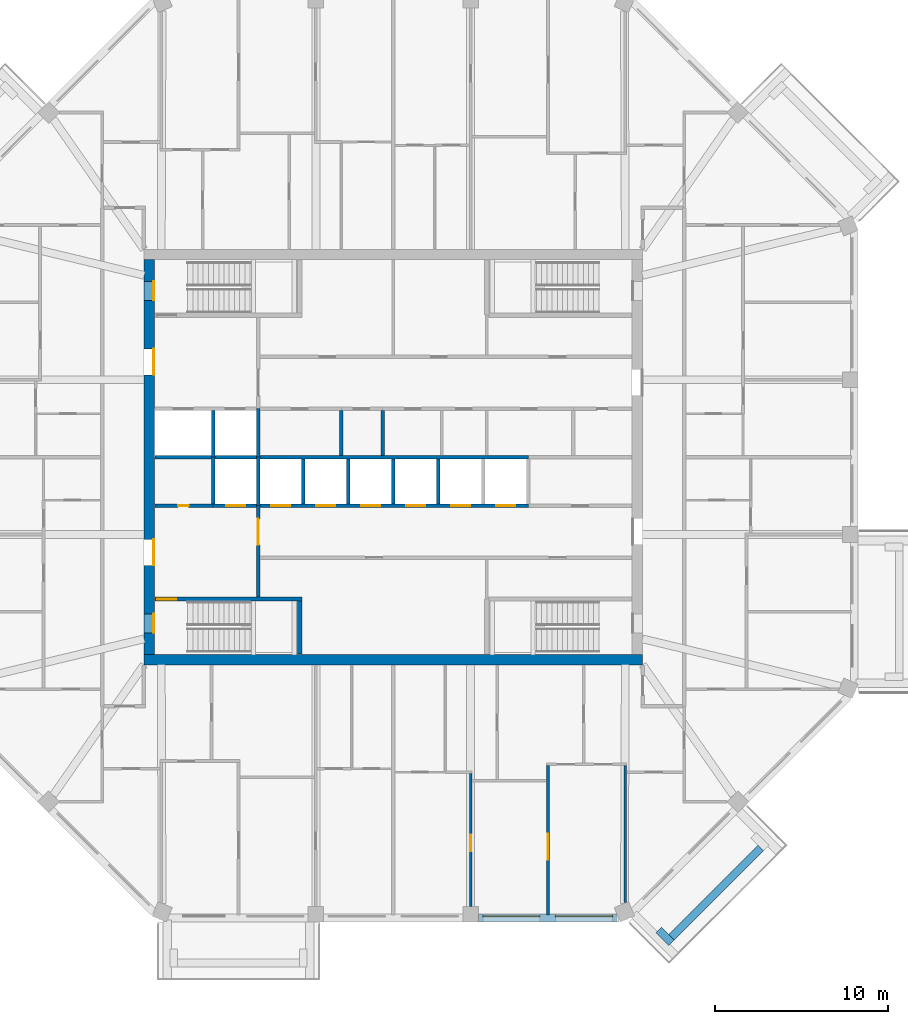
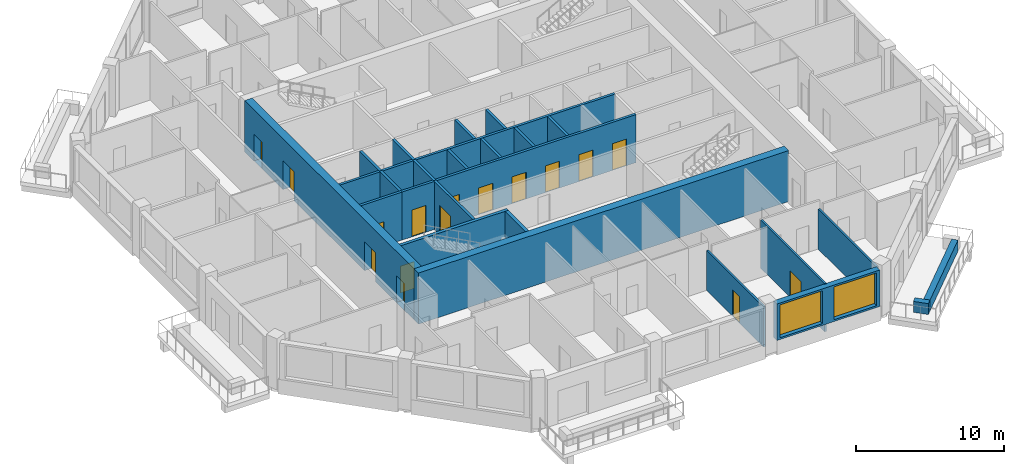
# One storey, part 4 of 11: 24 walls, 16 doors, 2 windows, 18 openings.
"""IFC4 building model written with IfcOpenShell, lengths in metres."""

from ifc_helpers import new_model, si_unit, direction, frame, frame_2d, origin, place, context, subcontext, project, spatial, rectangle, extrude, material, layer, layer_set, type_object, element, fill, save


model = new_model("IFC4")

# Units and contexts
model_context = context("Model", 3, precision=1e-05, world=origin(), true_north=direction((0.0, 1.0)))
body_context = subcontext(model_context, "Body", "Model", "MODEL_VIEW")
ifc_project = project(units=[si_unit("LENGTHUNIT", "METRE"), si_unit("AREAUNIT", "SQUARE_METRE"), si_unit("VOLUMEUNIT", "CUBIC_METRE"), si_unit("PLANEANGLEUNIT", "RADIAN"), si_unit("MASSUNIT", "GRAM", prefix="KILO")], contexts=[model_context])

# Site, building, storey
site_placement = place(None, origin())
site = spatial("IfcSite", under=ifc_project, at=site_placement, CompositionType="ELEMENT")
building_placement = place(site_placement, origin())
building = spatial("IfcBuilding", under=site, at=building_placement, Name="Msitu Wima Residences", CompositionType="ELEMENT")
storey_placement = place(building_placement, frame((0.0, 0.0, 234.89990234375)))
storey = spatial("IfcBuildingStorey", under=building, at=storey_placement, Name="L54", CompositionType="ELEMENT", Elevation=234.89990234375)

# Walls
ifc_material_1 = material(Name="Facing brick")
ifc_layer_1 = layer(ifc_material_1, 0.06494140625, Name="Facing brick")
ifc_material_2 = material(Name="Concrete C40/50", Category="concrete")
ifc_layer_2 = layer(ifc_material_2, 0.156005859375, Name="Concrete C40/50")
ifc_material_3 = material(Name="Waterproofing membrane")
ifc_layer_3 = layer(ifc_material_3, 0.00390625, Name="Waterproofing membrane")
ifc_material_4 = material(Name="Planting soil and planting")
ifc_layer_4 = layer(ifc_material_4, 0.22509765625, Name="Planting soil and planting")
ifc_layer_set_1 = layer_set([ifc_layer_1, ifc_layer_2, ifc_layer_3, ifc_layer_4], Name="Concrete C40/50")
wall_type_1 = type_object("IfcWallType", Name="Balcony planter PLANTER PL450", PredefinedType="USERDEFINED", material=ifc_layer_set_1)
wall_1_placement = place(storey_placement, frame((16.0751953125, -27.725830078125, 0.0), z_axis=(0.0, 0.0, 1.0), x_axis=(0.707106781187, 0.707106781187, 0.0)))
element("IfcWall", 1, at=wall_1_placement, inside=storey, type_object=wall_type_1, Name="Balcony planter SE0 L54", ObjectType="PLANTER", PredefinedType="USERDEFINED", context=body_context, shape_type="SweptSolid", body=[
    extrude(rectangle(XDim=7.288330078125, YDim=0.449951171875, at=frame_2d((3.64404296875, 0.0))), origin(), (0.0, 0.0, 1.0), 0.900146484375),
])
wall_2_placement = place(storey_placement, frame((15.332763671875, -27.301513671875, 0.0), z_axis=(0.0, 0.0, 1.0), x_axis=(0.707106781187, -0.707106781187, 0.0)))
element("IfcWall", 2, at=wall_2_placement, inside=storey, type_object=wall_type_1, Name="Balcony planter SE0 L54", ObjectType="PLANTER", PredefinedType="USERDEFINED", context=body_context, shape_type="SweptSolid", body=[
    extrude(rectangle(XDim=1.050048828125, YDim=0.449951171875, at=frame_2d((0.52490234375, 0.0))), origin(), (0.0, 0.0, 1.0), 0.900146484375),
])

# Wall, openings, windows
ifc_material_5 = material(Name="Brick (red buff mix)", Category="masonry")
ifc_layer_5 = layer(ifc_material_5, 0.449951171875)
ifc_layer_set_2 = layer_set([ifc_layer_5], Name="Brick (red buff mix)")
wall_type_2 = type_object("IfcWallType", Name="Brick infill wall BW450", PredefinedType="SOLIDWALL", material=ifc_layer_set_2)
wall_3_placement = place(storey_placement, frame((4.918701171875, -26.625, 0.900146484375), z_axis=(0.0, 0.0, 1.0), x_axis=(1.0, 0.0, 0.0)))
wall_3 = element("IfcWall", 3, at=wall_3_placement, inside=storey, type_object=wall_type_2, Name="Brick infill wall L54 S2", PredefinedType="SOLIDWALL", context=body_context, shape_type="SweptSolid", body=[
    extrude(rectangle(XDim=8.0, YDim=0.449951171875, at=frame_2d((4.0, 0.0))), origin(), (0.0, 0.0, 1.0), 3.0),
])
opening_1_placement = place(wall_3_placement, frame((0.25, 0.0, 0.14990234375)))
opening_1 = element("IfcOpeningElement", 4, at=opening_1_placement, cuts=wall_3, Name="Opening W52-54.020", PredefinedType="OPENING", context=body_context, shape_type="SweptSolid", body=[
    extrude(rectangle(XDim=3.300048828125, YDim=2.699951171875, at=frame_2d((1.64990234375, 1.35009765625))), frame((0.0, 0.23486328125, 0.0), z_axis=(0.0, -1.0, 0.0), x_axis=(1.0, 0.0, 0.0)), (0.0, 0.0, 1.0), 0.469970703125),
])
opening_2_placement = place(wall_3_placement, frame((4.4501953125, 0.0, 0.14990234375)))
opening_2 = element("IfcOpeningElement", 5, at=opening_2_placement, cuts=wall_3, Name="Opening W52-54.021", PredefinedType="OPENING", context=body_context, shape_type="SweptSolid", body=[
    extrude(rectangle(XDim=3.300048828125, YDim=2.699951171875, at=frame_2d((1.64990234375, 1.35009765625))), frame((0.0, 0.23486328125, 0.0), z_axis=(0.0, -1.0, 0.0), x_axis=(1.0, 0.0, 0.0)), (0.0, 0.0, 1.0), 0.469970703125),
])
ifc_material_6 = material(Name="Anodised aluminium, bronze finish, clear low-emissivity double glazing", Category="aluminium")
window_type = type_object("IfcWindowType", Name="Window W3300x2700", PartitioningType="DOUBLE_PANEL_VERTICAL", PredefinedType="WINDOW", material=ifc_material_6)
window_1_placement = place(opening_1_placement, origin())
window_1 = element("IfcWindow", 6, at=window_1_placement, inside=storey, type_object=window_type, Name="Window L54 S2.1", OverallHeight=2.699951171875, OverallWidth=3.300048828125, PartitioningType="SINGLE_PANEL", PredefinedType="WINDOW", context=body_context, shape_type="SweptSolid", body=[
    extrude(rectangle(XDim=3.300048828125, YDim=2.699951171875, at=frame_2d((1.64990234375, 1.35009765625))), frame((0.0, 0.135009765625, 0.0), z_axis=(0.0, -1.0, 0.0), x_axis=(1.0, 0.0, 0.0)), (0.0, 0.0, 1.0), 0.06005859375),
])
fill(opening_1, window_1)
window_2_placement = place(opening_2_placement, origin())
window_2 = element("IfcWindow", 7, at=window_2_placement, inside=storey, type_object=window_type, Name="Window L54 S2.2", OverallHeight=2.699951171875, OverallWidth=3.300048828125, PartitioningType="SINGLE_PANEL", PredefinedType="WINDOW", context=body_context, shape_type="SweptSolid", body=[
    extrude(rectangle(XDim=3.300048828125, YDim=2.699951171875, at=frame_2d((1.64990234375, 1.35009765625))), frame((0.0, 0.135009765625, 0.0), z_axis=(0.0, -1.0, 0.0), x_axis=(1.0, 0.0, 0.0)), (0.0, 0.0, 1.0), 0.06005859375),
])
fill(opening_2, window_2)

# Wall
ifc_material_7 = material(Name="Concrete C50/60", Category="concrete")
ifc_layer_6 = layer(ifc_material_7, 0.60009765625)
ifc_layer_set_3 = layer_set([ifc_layer_6], Name="Concrete C50/60")
wall_type_3 = type_object("IfcWallType", Name="Core wall CW600 C50/60", PredefinedType="SHEAR", material=ifc_layer_set_3)
wall_4_placement = place(storey_placement, frame((-14.39990234375, -11.699951171875, 0.0), z_axis=(0.0, 0.0, 1.0), x_axis=(1.0, 0.0, 0.0)))
element("IfcWall", 8, at=wall_4_placement, inside=storey, type_object=wall_type_3, Name="Core wall", PredefinedType="SHEAR", context=body_context, shape_type="SweptSolid", body=[
    extrude(rectangle(XDim=28.7998046875, YDim=0.60009765625, at=frame_2d((14.39990234375, 0.0))), origin(), (0.0, 0.0, 1.0), 4.2001953125),
])

# Wall, openings, doors
wall_5_placement = place(storey_placement, frame((-14.10009765625, -11.39990234375, 0.0), z_axis=(0.0, 0.0, 1.0), x_axis=(0.0, 1.0, 0.0)))
wall_5 = element("IfcWall", 9, at=wall_5_placement, inside=storey, type_object=wall_type_3, Name="Core wall", PredefinedType="SHEAR", context=body_context, shape_type="SweptSolid", body=[
    extrude(rectangle(XDim=22.7998046875, YDim=0.60009765625, at=frame_2d((11.39990234375, 0.0))), origin(), (0.0, 0.0, 1.0), 4.2001953125),
])
opening_3_placement = place(wall_5_placement, frame((20.449951171875, 0.0, 0.0)))
opening_3 = element("IfcOpeningElement", 10, at=opening_3_placement, cuts=wall_5, Name="Opening D52-54.085", PredefinedType="OPENING", context=body_context, shape_type="SweptSolid", body=[
    extrude(rectangle(XDim=1.10009765625, YDim=2.199951171875, at=frame_2d((0.550048828125, 1.10009765625))), frame((0.0, 0.31005859375, 0.0), z_axis=(0.0, -1.0, 0.0), x_axis=(1.0, 0.0, 0.0)), (0.0, 0.0, 1.0), 0.6201171875),
])
opening_4_placement = place(wall_5_placement, frame((1.25, 0.0, 0.0)))
opening_4 = element("IfcOpeningElement", 11, at=opening_4_placement, cuts=wall_5, Name="Opening D52-54.087", PredefinedType="OPENING", context=body_context, shape_type="SweptSolid", body=[
    extrude(rectangle(XDim=1.10009765625, YDim=2.199951171875, at=frame_2d((0.550048828125, 1.10009765625))), frame((0.0, 0.31005859375, 0.0), z_axis=(0.0, -1.0, 0.0), x_axis=(1.0, 0.0, 0.0)), (0.0, 0.0, 1.0), 0.6201171875),
])
opening_5_placement = place(wall_5_placement, frame((16.14990234375, 0.0, 0.0)))
opening_5 = element("IfcOpeningElement", 12, at=opening_5_placement, cuts=wall_5, Name="Opening D52-54.067", PredefinedType="OPENING", context=body_context, shape_type="SweptSolid", body=[
    extrude(rectangle(XDim=1.5, YDim=2.39990234375, at=frame_2d((0.75, 1.199951171875))), frame((0.0, 0.31005859375, 0.0), z_axis=(0.0, -1.0, 0.0), x_axis=(1.0, 0.0, 0.0)), (0.0, 0.0, 1.0), 0.6201171875),
])
opening_6_placement = place(wall_5_placement, frame((5.14990234375, 0.0, 0.0)))
opening_6 = element("IfcOpeningElement", 13, at=opening_6_placement, cuts=wall_5, Name="Opening D52-54.069", PredefinedType="OPENING", context=body_context, shape_type="SweptSolid", body=[
    extrude(rectangle(XDim=1.5, YDim=2.39990234375, at=frame_2d((0.75, 1.199951171875))), frame((0.0, 0.31005859375, 0.0), z_axis=(0.0, -1.0, 0.0), x_axis=(1.0, 0.0, 0.0)), (0.0, 0.0, 1.0), 0.6201171875),
])
ifc_material_8 = material(Name="Steel framed glazed door, fire resisting", Category="steel")
door_type_1 = type_object("IfcDoorType", Name="Lobby door D07 1500x2400", OperationType="DOUBLE_DOOR_SINGLE_SWING", PredefinedType="DOOR", material=ifc_material_8)
door_1_placement = place(opening_5_placement, origin())
door_1 = element("IfcDoor", 14, at=door_1_placement, inside=storey, type_object=door_type_1, Name="Lobby door", OperationType="DOUBLE_DOOR_SINGLE_SWING", OverallHeight=2.39990234375, OverallWidth=1.5, PredefinedType="DOOR", context=body_context, shape_type="SweptSolid", body=[
    extrude(rectangle(XDim=1.5, YDim=2.39990234375, at=frame_2d((0.75, 1.199951171875))), frame((0.0, -0.2451171875, 0.0), z_axis=(0.0, -1.0, 0.0), x_axis=(1.0, 0.0, 0.0)), (0.0, 0.0, 1.0), 0.050048828125),
])
fill(opening_5, door_1)
door_2_placement = place(opening_6_placement, origin())
door_2 = element("IfcDoor", 15, at=door_2_placement, inside=storey, type_object=door_type_1, Name="Lobby door", OperationType="DOUBLE_DOOR_SINGLE_SWING", OverallHeight=2.39990234375, OverallWidth=1.5, PredefinedType="DOOR", context=body_context, shape_type="SweptSolid", body=[
    extrude(rectangle(XDim=1.5, YDim=2.39990234375, at=frame_2d((0.75, 1.199951171875))), frame((0.0, -0.2451171875, 0.0), z_axis=(0.0, -1.0, 0.0), x_axis=(1.0, 0.0, 0.0)), (0.0, 0.0, 1.0), 0.050048828125),
])
fill(opening_6, door_2)
ifc_material_9 = material(Name="Steel door, fire resisting, panic bar", Category="steel")
door_type_2 = type_object("IfcDoorType", Name="Stair door D06 1100x2200", OperationType="SINGLE_SWING_LEFT", PredefinedType="DOOR", material=ifc_material_9)
door_3_placement = place(opening_3_placement, origin())
door_3 = element("IfcDoor", 16, at=door_3_placement, inside=storey, type_object=door_type_2, Name="Stair door", OperationType="SINGLE_SWING_RIGHT", OverallHeight=2.199951171875, OverallWidth=1.10009765625, PredefinedType="DOOR", context=body_context, shape_type="SweptSolid", body=[
    extrude(rectangle(XDim=1.10009765625, YDim=2.199951171875, at=frame_2d((0.550048828125, 1.10009765625))), frame((0.0, -0.2451171875, 0.0), z_axis=(0.0, -1.0, 0.0), x_axis=(1.0, 0.0, 0.0)), (0.0, 0.0, 1.0), 0.050048828125),
])
fill(opening_3, door_3)
door_4_placement = place(opening_4_placement, origin())
door_4 = element("IfcDoor", 17, at=door_4_placement, inside=storey, type_object=door_type_2, Name="Stair door", OperationType="SINGLE_SWING_LEFT", OverallHeight=2.199951171875, OverallWidth=1.10009765625, PredefinedType="DOOR", context=body_context, shape_type="SweptSolid", body=[
    extrude(rectangle(XDim=1.10009765625, YDim=2.199951171875, at=frame_2d((0.550048828125, 1.10009765625))), frame((0.0, -0.2451171875, 0.0), z_axis=(0.0, -1.0, 0.0), x_axis=(1.0, 0.0, 0.0)), (0.0, 0.0, 1.0), 0.050048828125),
])
fill(opening_4, door_4)

# Wall, opening, door
ifc_material_10 = material(Name="Plaster")
ifc_layer_7 = layer(ifc_material_10, 0.011962890625, Name="Plaster")
ifc_material_11 = material(Name="Concrete blockwork", Category="masonry")
ifc_layer_8 = layer(ifc_material_11, 0.176025390625, Name="Concrete blockwork")
ifc_layer_9 = layer(ifc_material_10, 0.011962890625, Name="Plaster")
ifc_layer_set_4 = layer_set([ifc_layer_7, ifc_layer_8, ifc_layer_9], Name="Concrete blockwork")
wall_type_4 = type_object("IfcWallType", Name="Corridor wall FW200", PredefinedType="PARTITIONING", material=ifc_layer_set_4)
wall_6_placement = place(storey_placement, frame((-7.800048828125, -8.074951171875, 0.0), z_axis=(0.0, 0.0, 1.0), x_axis=(0.0, 1.0, 0.0)))
wall_6 = element("IfcWall", 18, at=wall_6_placement, inside=storey, type_object=wall_type_4, Name="Corridor wall", PredefinedType="PARTITIONING", context=body_context, shape_type="SweptSolid", body=[
    extrude(rectangle(XDim=5.27490234375, YDim=0.199951171875, at=frame_2d((2.637451171875, 0.0))), origin(), (0.0, 0.0, 1.0), 3.9501953125),
])
opening_7_placement = place(wall_6_placement, frame((3.0, 0.0, 0.0)))
opening_7 = element("IfcOpeningElement", 19, at=opening_7_placement, cuts=wall_6, Name="Opening D52-54.070", PredefinedType="OPENING", context=body_context, shape_type="SweptSolid", body=[
    extrude(rectangle(XDim=1.5, YDim=2.39990234375, at=frame_2d((0.75, 1.199951171875))), frame((0.0, 0.10986328125, 0.0), z_axis=(0.0, -1.0, 0.0), x_axis=(1.0, 0.0, 0.0)), (0.0, 0.0, 1.0), 0.219970703125),
])
door_5_placement = place(opening_7_placement, origin())
door_5 = element("IfcDoor", 20, at=door_5_placement, inside=storey, type_object=door_type_1, Name="Lobby door", OperationType="DOUBLE_DOOR_SINGLE_SWING", OverallHeight=2.39990234375, OverallWidth=1.5, PredefinedType="DOOR", context=body_context, shape_type="SweptSolid", body=[
    extrude(rectangle(XDim=1.5, YDim=2.39990234375, at=frame_2d((0.75, 1.199951171875))), frame((0.0, 0.02490234375, 0.0), z_axis=(0.0, -1.0, 0.0), x_axis=(1.0, 0.0, 0.0)), (0.0, 0.0, 1.0), 0.050048828125),
])
fill(opening_7, door_5)

ifc_layer_10 = layer(ifc_material_10, 0.011962890625, Name="Plaster")
ifc_layer_11 = layer(ifc_material_11, 0.1259765625, Name="Concrete blockwork")
ifc_layer_12 = layer(ifc_material_10, 0.011962890625, Name="Plaster")
ifc_layer_set_5 = layer_set([ifc_layer_10, ifc_layer_11, ifc_layer_12], Name="Concrete blockwork")
wall_type_5 = type_object("IfcWallType", Name="Partition PW150", PredefinedType="PARTITIONING", material=ifc_layer_set_5)
wall_7_placement = place(storey_placement, frame((4.46875, -25.949951171875, 0.0), z_axis=(0.0, 0.0, 1.0), x_axis=(0.0, 1.0, 0.0)))
wall_7 = element("IfcWall", 21, at=wall_7_placement, inside=storey, type_object=wall_type_5, Name="Partition", PredefinedType="PARTITIONING", context=body_context, shape_type="SweptSolid", body=[
    extrude(rectangle(XDim=7.675048828125, YDim=0.14990234375, at=frame_2d((3.83740234375, 0.0))), origin(), (0.0, 0.0, 1.0), 3.300048828125),
])
opening_8_placement = place(wall_7_placement, frame((3.199951171875, 0.0, 0.0)))
opening_8 = element("IfcOpeningElement", 22, at=opening_8_placement, cuts=wall_7, Name="Opening D52-54.054", PredefinedType="OPENING", context=body_context, shape_type="SweptSolid", body=[
    extrude(rectangle(XDim=0.949951171875, YDim=2.199951171875, at=frame_2d((0.47509765625, 1.10009765625))), frame((0.0, 0.0849609375, 0.0), z_axis=(0.0, -1.0, 0.0), x_axis=(1.0, 0.0, 0.0)), (0.0, 0.0, 1.0), 0.169921875),
])
ifc_material_12 = material(Name="Timber flush door", Category="wood")
door_type_3 = type_object("IfcDoorType", Name="Room door D12 950x2200", OperationType="SINGLE_SWING_LEFT", PredefinedType="DOOR", material=ifc_material_12)
door_6_placement = place(opening_8_placement, origin())
door_6 = element("IfcDoor", 23, at=door_6_placement, inside=storey, type_object=door_type_3, Name="Room door", OperationType="SINGLE_SWING_LEFT", OverallHeight=2.199951171875, OverallWidth=0.949951171875, PredefinedType="DOOR", context=body_context, shape_type="SweptSolid", body=[
    extrude(rectangle(XDim=0.949951171875, YDim=2.199951171875, at=frame_2d((0.47509765625, 1.10009765625))), frame((0.0, 0.02490234375, 0.0), z_axis=(0.0, -1.0, 0.0), x_axis=(1.0, 0.0, 0.0)), (0.0, 0.0, 1.0), 0.050048828125),
])
fill(opening_8, door_6)

wall_8_placement = place(storey_placement, frame((8.937255859375, -26.455078125, 0.0), z_axis=(0.0, 0.0, 1.0), x_axis=(0.0, 1.0, 0.0)))
wall_8 = element("IfcWall", 24, at=wall_8_placement, inside=storey, type_object=wall_type_5, Name="Partition", PredefinedType="PARTITIONING", context=body_context, shape_type="SweptSolid", body=[
    extrude(rectangle(XDim=8.630126953125, YDim=0.14990234375, at=frame_2d((4.31494140625, 0.0))), origin(), (0.0, 0.0, 1.0), 3.9501953125),
])
opening_9_placement = place(wall_8_placement, frame((3.199951171875, 0.0, 0.0)))
opening_9 = element("IfcOpeningElement", 25, at=opening_9_placement, cuts=wall_8, Name="Opening D52-54.062", PredefinedType="OPENING", context=body_context, shape_type="SweptSolid", body=[
    extrude(rectangle(XDim=1.5, YDim=2.199951171875, at=frame_2d((0.75, 1.10009765625))), frame((0.0, 0.0849609375, 0.0), z_axis=(0.0, -1.0, 0.0), x_axis=(1.0, 0.0, 0.0)), (0.0, 0.0, 1.0), 0.169921875),
])
ifc_material_13 = material(Name="Timber double door", Category="wood")
door_type_4 = type_object("IfcDoorType", Name="Double door D04 1500x2200", OperationType="DOUBLE_DOOR_SINGLE_SWING", PredefinedType="DOOR", material=ifc_material_13)
door_7_placement = place(opening_9_placement, origin())
door_7 = element("IfcDoor", 26, at=door_7_placement, inside=storey, type_object=door_type_4, Name="Double door", OperationType="DOUBLE_DOOR_SINGLE_SWING", OverallHeight=2.199951171875, OverallWidth=1.5, PredefinedType="DOOR", context=body_context, shape_type="SweptSolid", body=[
    extrude(rectangle(XDim=1.5, YDim=2.199951171875, at=frame_2d((0.75, 1.10009765625))), frame((0.0, 0.02490234375, 0.0), z_axis=(0.0, -1.0, 0.0), x_axis=(1.0, 0.0, 0.0)), (0.0, 0.0, 1.0), 0.050048828125),
])
fill(opening_9, door_7)

# Wall
wall_9_placement = place(storey_placement, frame((13.406005859375, -25.731201171875, 0.0), z_axis=(0.0, 0.0, 1.0), x_axis=(0.0, 1.0, 0.0)))
element("IfcWall", 27, at=wall_9_placement, inside=storey, type_object=wall_type_5, Name="Partition", PredefinedType="PARTITIONING", context=body_context, shape_type="SweptSolid", body=[
    extrude(rectangle(XDim=7.90625, YDim=0.14990234375, at=frame_2d((3.953125, 0.0))), origin(), (0.0, 0.0, 1.0), 3.300048828125),
])

# Wall, opening, door
ifc_layer_13 = layer(ifc_material_10, 0.011962890625, Name="Plaster")
ifc_material_14 = material(Name="Reinforced concrete blockwork", Category="masonry")
ifc_layer_14 = layer(ifc_material_14, 0.176025390625, Name="Reinforced concrete blockwork")
ifc_layer_15 = layer(ifc_material_10, 0.011962890625, Name="Plaster")
ifc_layer_set_6 = layer_set([ifc_layer_13, ifc_layer_14, ifc_layer_15], Name="Reinforced concrete blockwork")
wall_type_6 = type_object("IfcWallType", Name="Plant and riser wall PL200", PredefinedType="PARTITIONING", material=ifc_layer_set_6)
wall_10_placement = place(storey_placement, frame((-13.77001953125, -2.800048828125, 0.0), z_axis=(0.0, 0.0, 1.0), x_axis=(1.0, 0.0, 0.0)))
wall_10 = element("IfcWall", 28, at=wall_10_placement, inside=storey, type_object=wall_type_6, Name="Plant and riser wall", PredefinedType="PARTITIONING", context=body_context, shape_type="SweptSolid", body=[
    extrude(rectangle(XDim=3.3701171875, YDim=0.199951171875, at=frame_2d((1.68505859375, 0.0))), origin(), (0.0, 0.0, 1.0), 3.9501953125),
])
opening_10_placement = place(wall_10_placement, frame((1.35009765625, 0.0, 0.0)))
opening_10 = element("IfcOpeningElement", 29, at=opening_10_placement, cuts=wall_10, Name="Opening D52-54.084", PredefinedType="OPENING", context=body_context, shape_type="SweptSolid", body=[
    extrude(rectangle(XDim=0.60009765625, YDim=2.0, at=frame_2d((0.300048828125, 1.0))), frame((0.0, 0.10986328125, 0.0), z_axis=(0.0, -1.0, 0.0), x_axis=(1.0, 0.0, 0.0)), (0.0, 0.0, 1.0), 0.219970703125),
])
ifc_material_15 = material(Name="Steel access door, fire resisting", Category="steel")
door_type_5 = type_object("IfcDoorType", Name="Riser access door D08 600x2000", OperationType="SINGLE_SWING_LEFT", PredefinedType="DOOR", material=ifc_material_15)
door_8_placement = place(opening_10_placement, origin())
door_8 = element("IfcDoor", 30, at=door_8_placement, inside=storey, type_object=door_type_5, Name="Riser access door", OperationType="SINGLE_SWING_RIGHT", OverallHeight=2.0, OverallWidth=0.60009765625, PredefinedType="DOOR", context=body_context, shape_type="SweptSolid", body=[
    extrude(rectangle(XDim=0.60009765625, YDim=2.0, at=frame_2d((0.300048828125, 1.0))), frame((0.0, 0.02490234375, 0.0), z_axis=(0.0, -1.0, 0.0), x_axis=(1.0, 0.0, 0.0)), (0.0, 0.0, 1.0), 0.050048828125),
])
fill(opening_10, door_8)

# Walls
for number, where, z_axis, x_axis, name in (
    (31, (-3.0, 0.10009765625, 0.0), (0.0, 0.0, 1.0), (0.0, 1.0, 0.0), "Plant and riser wall"),
    (32, (-0.60009765625, 0.10009765625, 0.0), (0.0, 0.0, 1.0), (0.0, 1.0, 0.0), "Plant and riser wall"),
):
    element("IfcWall", number, at=place(storey_placement, frame(where, z_axis=z_axis, x_axis=x_axis)), inside=storey, type_object=wall_type_6, Name=name, PredefinedType="PARTITIONING", context=body_context, shape_type="SweptSolid", body=[
        extrude(rectangle(XDim=2.599853515625, YDim=0.199951171875, at=frame_2d((1.2998046875, 0.0))), origin(), (0.0, 0.0, 1.0), 3.9501953125),
    ])
ifc_material_16 = material(Name="Fire-rated board")
ifc_layer_16 = layer(ifc_material_16, 0.02490234375, Name="Fire-rated board")
ifc_material_17 = material(Name="Light-gauge stud framing with mineral wool")
ifc_layer_17 = layer(ifc_material_17, 0.14990234375, Name="Light-gauge stud framing with mineral wool")
ifc_layer_18 = layer(ifc_material_16, 0.02490234375, Name="Fire-rated board")
ifc_layer_set_7 = layer_set([ifc_layer_16, ifc_layer_17, ifc_layer_18], Name="Light-gauge stud framing with mineral wool")
wall_type_7 = type_object("IfcWallType", Name="Shaft wall SH200", PredefinedType="PARTITIONING", material=ifc_layer_set_7)
wall_11_placement = place(storey_placement, frame((-13.77001953125, 0.0, 0.0), z_axis=(0.0, 0.0, 1.0), x_axis=(1.0, 0.0, 0.0)))
element("IfcWall", 33, at=wall_11_placement, inside=storey, type_object=wall_type_7, Name="Shaft wall", PredefinedType="PARTITIONING", context=body_context, shape_type="SweptSolid", body=[
    extrude(rectangle(XDim=21.570068359375, YDim=0.199951171875, at=frame_2d((10.78515625, 0.0))), origin(), (0.0, 0.0, 1.0), 3.9501953125),
])
wall_12_placement = place(storey_placement, frame((-10.39990234375, -2.699951171875, 0.0), z_axis=(0.0, 0.0, 1.0), x_axis=(0.0, 1.0, 0.0)))
element("IfcWall", 34, at=wall_12_placement, inside=storey, type_object=wall_type_7, Name="Shaft wall", PredefinedType="PARTITIONING", context=body_context, shape_type="SweptSolid", body=[
    extrude(rectangle(XDim=2.699951171875, YDim=0.199951171875, at=frame_2d((1.35009765625, 0.0))), origin(), (0.0, 0.0, 1.0), 3.9501953125),
])

# Wall, openings, doors
wall_13_placement = place(storey_placement, frame((-10.39990234375, -2.800048828125, 0.0), z_axis=(0.0, 0.0, 1.0), x_axis=(1.0, 0.0, 0.0)))
wall_13 = element("IfcWall", 35, at=wall_13_placement, inside=storey, type_object=wall_type_7, Name="Shaft wall", PredefinedType="PARTITIONING", context=body_context, shape_type="SweptSolid", body=[
    extrude(rectangle(XDim=18.199951171875, YDim=0.199951171875, at=frame_2d((9.10009765625, 0.0))), origin(), (0.0, 0.0, 1.0), 3.9501953125),
])
opening_11_placement = place(wall_13_placement, frame((0.75, 0.0, 0.0)))
opening_11 = element("IfcOpeningElement", 36, at=opening_11_placement, cuts=wall_13, Name="Opening LD", PredefinedType="OPENING", context=body_context, shape_type="SweptSolid", body=[
    extrude(rectangle(XDim=1.10009765625, YDim=2.199951171875, at=frame_2d((0.550048828125, 1.10009765625))), frame((0.0, 0.10986328125, 0.0), z_axis=(0.0, -1.0, 0.0), x_axis=(1.0, 0.0, 0.0)), (0.0, 0.0, 1.0), 0.219970703125),
])
opening_12_placement = place(wall_13_placement, frame((3.35009765625, 0.0, 0.0)))
opening_12 = element("IfcOpeningElement", 37, at=opening_12_placement, cuts=wall_13, Name="Opening LD", PredefinedType="OPENING", context=body_context, shape_type="SweptSolid", body=[
    extrude(rectangle(XDim=1.10009765625, YDim=2.199951171875, at=frame_2d((0.550048828125, 1.10009765625))), frame((0.0, 0.10986328125, 0.0), z_axis=(0.0, -1.0, 0.0), x_axis=(1.0, 0.0, 0.0)), (0.0, 0.0, 1.0), 0.219970703125),
])
opening_13_placement = place(wall_13_placement, frame((5.949951171875, 0.0, 0.0)))
opening_13 = element("IfcOpeningElement", 38, at=opening_13_placement, cuts=wall_13, Name="Opening LD", PredefinedType="OPENING", context=body_context, shape_type="SweptSolid", body=[
    extrude(rectangle(XDim=1.10009765625, YDim=2.199951171875, at=frame_2d((0.550048828125, 1.10009765625))), frame((0.0, 0.10986328125, 0.0), z_axis=(0.0, -1.0, 0.0), x_axis=(1.0, 0.0, 0.0)), (0.0, 0.0, 1.0), 0.219970703125),
])
opening_14_placement = place(wall_13_placement, frame((8.550048828125, 0.0, 0.0)))
opening_14 = element("IfcOpeningElement", 39, at=opening_14_placement, cuts=wall_13, Name="Opening LD", PredefinedType="OPENING", context=body_context, shape_type="SweptSolid", body=[
    extrude(rectangle(XDim=1.10009765625, YDim=2.199951171875, at=frame_2d((0.550048828125, 1.10009765625))), frame((0.0, 0.10986328125, 0.0), z_axis=(0.0, -1.0, 0.0), x_axis=(1.0, 0.0, 0.0)), (0.0, 0.0, 1.0), 0.219970703125),
])
opening_15_placement = place(wall_13_placement, frame((11.14990234375, 0.0, 0.0)))
opening_15 = element("IfcOpeningElement", 40, at=opening_15_placement, cuts=wall_13, Name="Opening LD", PredefinedType="OPENING", context=body_context, shape_type="SweptSolid", body=[
    extrude(rectangle(XDim=1.10009765625, YDim=2.199951171875, at=frame_2d((0.550048828125, 1.10009765625))), frame((0.0, 0.10986328125, 0.0), z_axis=(0.0, -1.0, 0.0), x_axis=(1.0, 0.0, 0.0)), (0.0, 0.0, 1.0), 0.219970703125),
])
opening_16_placement = place(wall_13_placement, frame((13.75, 0.0, 0.0)))
opening_16 = element("IfcOpeningElement", 41, at=opening_16_placement, cuts=wall_13, Name="Opening LD", PredefinedType="OPENING", context=body_context, shape_type="SweptSolid", body=[
    extrude(rectangle(XDim=1.10009765625, YDim=2.199951171875, at=frame_2d((0.550048828125, 1.10009765625))), frame((0.0, 0.10986328125, 0.0), z_axis=(0.0, -1.0, 0.0), x_axis=(1.0, 0.0, 0.0)), (0.0, 0.0, 1.0), 0.219970703125),
])
opening_17_placement = place(wall_13_placement, frame((16.35009765625, 0.0, 0.0)))
opening_17 = element("IfcOpeningElement", 42, at=opening_17_placement, cuts=wall_13, Name="Opening LD", PredefinedType="OPENING", context=body_context, shape_type="SweptSolid", body=[
    extrude(rectangle(XDim=1.10009765625, YDim=2.199951171875, at=frame_2d((0.550048828125, 1.10009765625))), frame((0.0, 0.10986328125, 0.0), z_axis=(0.0, -1.0, 0.0), x_axis=(1.0, 0.0, 0.0)), (0.0, 0.0, 1.0), 0.219970703125),
])
ifc_material_18 = material(Name="Stainless steel centre-opening landing door, rated", Category="steel")
door_type_6 = type_object("IfcDoorType", Name="Lift landing door LD 1100x2200", OperationType="DOUBLE_DOOR_SLIDING", PredefinedType="DOOR", material=ifc_material_18)
door_9_placement = place(opening_11_placement, origin())
door_9 = element("IfcDoor", 43, at=door_9_placement, inside=storey, type_object=door_type_6, Name="Lift landing door LD3", OperationType="DOUBLE_DOOR_SLIDING", OverallHeight=2.199951171875, OverallWidth=1.10009765625, PredefinedType="DOOR", context=body_context, shape_type="SweptSolid", body=[
    extrude(rectangle(XDim=1.10009765625, YDim=2.199951171875, at=frame_2d((0.550048828125, 1.10009765625))), frame((0.0, 0.02490234375, 0.0), z_axis=(0.0, -1.0, 0.0), x_axis=(1.0, 0.0, 0.0)), (0.0, 0.0, 1.0), 0.050048828125),
])
fill(opening_11, door_9)
door_10_placement = place(opening_12_placement, origin())
door_10 = element("IfcDoor", 44, at=door_10_placement, inside=storey, type_object=door_type_6, Name="Lift landing door LD5", OperationType="DOUBLE_DOOR_SLIDING", OverallHeight=2.199951171875, OverallWidth=1.10009765625, PredefinedType="DOOR", context=body_context, shape_type="SweptSolid", body=[
    extrude(rectangle(XDim=1.10009765625, YDim=2.199951171875, at=frame_2d((0.550048828125, 1.10009765625))), frame((0.0, 0.02490234375, 0.0), z_axis=(0.0, -1.0, 0.0), x_axis=(1.0, 0.0, 0.0)), (0.0, 0.0, 1.0), 0.050048828125),
])
fill(opening_12, door_10)
door_11_placement = place(opening_13_placement, origin())
door_11 = element("IfcDoor", 45, at=door_11_placement, inside=storey, type_object=door_type_6, Name="Lift landing door LD7", OperationType="DOUBLE_DOOR_SLIDING", OverallHeight=2.199951171875, OverallWidth=1.10009765625, PredefinedType="DOOR", context=body_context, shape_type="SweptSolid", body=[
    extrude(rectangle(XDim=1.10009765625, YDim=2.199951171875, at=frame_2d((0.550048828125, 1.10009765625))), frame((0.0, 0.02490234375, 0.0), z_axis=(0.0, -1.0, 0.0), x_axis=(1.0, 0.0, 0.0)), (0.0, 0.0, 1.0), 0.050048828125),
])
fill(opening_13, door_11)
door_12_placement = place(opening_14_placement, origin())
door_12 = element("IfcDoor", 46, at=door_12_placement, inside=storey, type_object=door_type_6, Name="Lift landing door LD9", OperationType="DOUBLE_DOOR_SLIDING", OverallHeight=2.199951171875, OverallWidth=1.10009765625, PredefinedType="DOOR", context=body_context, shape_type="SweptSolid", body=[
    extrude(rectangle(XDim=1.10009765625, YDim=2.199951171875, at=frame_2d((0.550048828125, 1.10009765625))), frame((0.0, 0.02490234375, 0.0), z_axis=(0.0, -1.0, 0.0), x_axis=(1.0, 0.0, 0.0)), (0.0, 0.0, 1.0), 0.050048828125),
])
fill(opening_14, door_12)
door_13_placement = place(opening_15_placement, origin())
door_13 = element("IfcDoor", 47, at=door_13_placement, inside=storey, type_object=door_type_6, Name="Lift landing door LD11", OperationType="DOUBLE_DOOR_SLIDING", OverallHeight=2.199951171875, OverallWidth=1.10009765625, PredefinedType="DOOR", context=body_context, shape_type="SweptSolid", body=[
    extrude(rectangle(XDim=1.10009765625, YDim=2.199951171875, at=frame_2d((0.550048828125, 1.10009765625))), frame((0.0, 0.02490234375, 0.0), z_axis=(0.0, -1.0, 0.0), x_axis=(1.0, 0.0, 0.0)), (0.0, 0.0, 1.0), 0.050048828125),
])
fill(opening_15, door_13)
door_14_placement = place(opening_16_placement, origin())
door_14 = element("IfcDoor", 48, at=door_14_placement, inside=storey, type_object=door_type_6, Name="Lift landing door LD13", OperationType="DOUBLE_DOOR_SLIDING", OverallHeight=2.199951171875, OverallWidth=1.10009765625, PredefinedType="DOOR", context=body_context, shape_type="SweptSolid", body=[
    extrude(rectangle(XDim=1.10009765625, YDim=2.199951171875, at=frame_2d((0.550048828125, 1.10009765625))), frame((0.0, 0.02490234375, 0.0), z_axis=(0.0, -1.0, 0.0), x_axis=(1.0, 0.0, 0.0)), (0.0, 0.0, 1.0), 0.050048828125),
])
fill(opening_16, door_14)
door_15_placement = place(opening_17_placement, origin())
door_15 = element("IfcDoor", 49, at=door_15_placement, inside=storey, type_object=door_type_6, Name="Lift landing door LD15", OperationType="DOUBLE_DOOR_SLIDING", OverallHeight=2.199951171875, OverallWidth=1.10009765625, PredefinedType="DOOR", context=body_context, shape_type="SweptSolid", body=[
    extrude(rectangle(XDim=1.10009765625, YDim=2.199951171875, at=frame_2d((0.550048828125, 1.10009765625))), frame((0.0, 0.02490234375, 0.0), z_axis=(0.0, -1.0, 0.0), x_axis=(1.0, 0.0, 0.0)), (0.0, 0.0, 1.0), 0.050048828125),
])
fill(opening_17, door_15)

# Walls
wall_14_placement = place(storey_placement, frame((-10.39990234375, 0.0, 0.0), z_axis=(0.0, 0.0, 1.0), x_axis=(0.0, 1.0, 0.0)))
element("IfcWall", 50, at=wall_14_placement, inside=storey, type_object=wall_type_7, Name="Shaft wall", PredefinedType="PARTITIONING", context=body_context, shape_type="SweptSolid", body=[
    extrude(rectangle(XDim=2.699951171875, YDim=0.199951171875, at=frame_2d((1.35009765625, 0.0))), origin(), (0.0, 0.0, 1.0), 3.9501953125),
])
for number, where, z_axis, x_axis, name in (
    (51, (-7.800048828125, -2.800048828125, 0.0), (0.0, 0.0, 1.0), (0.0, 1.0, 0.0), "Shaft wall"),
    (52, (-7.800048828125, 0.0, 0.0), (0.0, 0.0, 1.0), (0.0, 1.0, 0.0), "Shaft wall"),
):
    element("IfcWall", number, at=place(storey_placement, frame(where, z_axis=z_axis, x_axis=x_axis)), inside=storey, type_object=wall_type_7, Name=name, PredefinedType="PARTITIONING", context=body_context, shape_type="SweptSolid", body=[
        extrude(rectangle(XDim=2.800048828125, YDim=0.199951171875, at=frame_2d((1.39990234375, 0.0))), origin(), (0.0, 0.0, 1.0), 3.9501953125),
    ])
for number, where, z_axis, x_axis, name in (
    (53, (-5.199951171875, -2.699951171875, 0.0), (0.0, 0.0, 1.0), (0.0, 1.0, 0.0), "Shaft wall"),
    (54, (-2.60009765625, -2.699951171875, 0.0), (0.0, 0.0, 1.0), (0.0, 1.0, 0.0), "Shaft wall"),
    (55, (0.0, -2.699951171875, 0.0), (0.0, 0.0, 1.0), (0.0, 1.0, 0.0), "Shaft wall"),
    (56, (2.60009765625, -2.699951171875, 0.0), (0.0, 0.0, 1.0), (0.0, 1.0, 0.0), "Shaft wall"),
):
    element("IfcWall", number, at=place(storey_placement, frame(where, z_axis=z_axis, x_axis=x_axis)), inside=storey, type_object=wall_type_7, Name=name, PredefinedType="PARTITIONING", context=body_context, shape_type="SweptSolid", body=[
        extrude(rectangle(XDim=2.599853515625, YDim=0.199951171875, at=frame_2d((1.2998046875, 0.0))), origin(), (0.0, 0.0, 1.0), 3.9501953125),
    ])

# Wall, opening, door
ifc_layer_19 = layer(ifc_material_7, 0.25)
ifc_layer_set_8 = layer_set([ifc_layer_19], Name="Concrete C50/60")
wall_type_8 = type_object("IfcWallType", Name="Stair enclosure wall SW250", PredefinedType="SHEAR", material=ifc_layer_set_8)
wall_15_placement = place(storey_placement, frame((-13.77001953125, -8.199951171875, 0.0), z_axis=(0.0, 0.0, 1.0), x_axis=(1.0, 0.0, 0.0)))
wall_15 = element("IfcWall", 57, at=wall_15_placement, inside=storey, type_object=wall_type_8, Name="Stair enclosure wall", PredefinedType="SHEAR", context=body_context, shape_type="SweptSolid", body=[
    extrude(rectangle(XDim=8.4951171875, YDim=0.25, at=frame_2d((4.24755859375, 0.0))), origin(), (0.0, 0.0, 1.0), 3.9501953125),
])
opening_18_placement = place(wall_15_placement, frame((0.14990234375, 0.0, 0.0)))
opening_18 = element("IfcOpeningElement", 58, at=opening_18_placement, cuts=wall_15, Name="Opening D52-54.088", PredefinedType="OPENING", context=body_context, shape_type="SweptSolid", body=[
    extrude(rectangle(XDim=1.10009765625, YDim=2.199951171875, at=frame_2d((0.550048828125, 1.10009765625))), frame((0.0, 0.135009765625, 0.0), z_axis=(0.0, -1.0, 0.0), x_axis=(1.0, 0.0, 0.0)), (0.0, 0.0, 1.0), 0.27001953125),
])
door_16_placement = place(opening_18_placement, origin())
door_16 = element("IfcDoor", 59, at=door_16_placement, inside=storey, type_object=door_type_2, Name="Stair door", OperationType="SINGLE_SWING_RIGHT", OverallHeight=2.199951171875, OverallWidth=1.10009765625, PredefinedType="DOOR", context=body_context, shape_type="SweptSolid", body=[
    extrude(rectangle(XDim=1.10009765625, YDim=2.199951171875, at=frame_2d((0.550048828125, 1.10009765625))), frame((0.0, 0.02490234375, 0.0), z_axis=(0.0, -1.0, 0.0), x_axis=(1.0, 0.0, 0.0)), (0.0, 0.0, 1.0), 0.050048828125),
])
fill(opening_18, door_16)

# Wall
wall_16_placement = place(storey_placement, frame((-5.39990234375, -11.3701171875, 0.0), z_axis=(0.0, 0.0, 1.0), x_axis=(0.0, 1.0, 0.0)))
element("IfcWall", 60, at=wall_16_placement, inside=storey, type_object=wall_type_8, Name="Stair enclosure wall", PredefinedType="SHEAR", context=body_context, shape_type="SweptSolid", body=[
    extrude(rectangle(XDim=3.045166015625, YDim=0.25, at=frame_2d((1.5224609375, 0.0))), origin(), (0.0, 0.0, 1.0), 3.9501953125),
])

save(model, "model.ifc")
